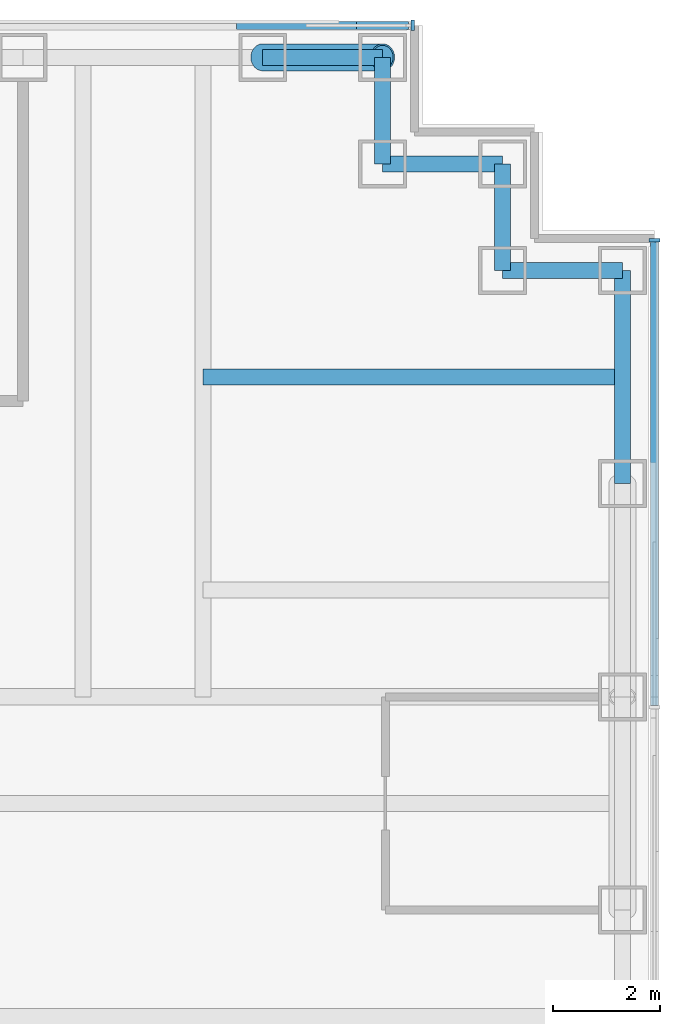
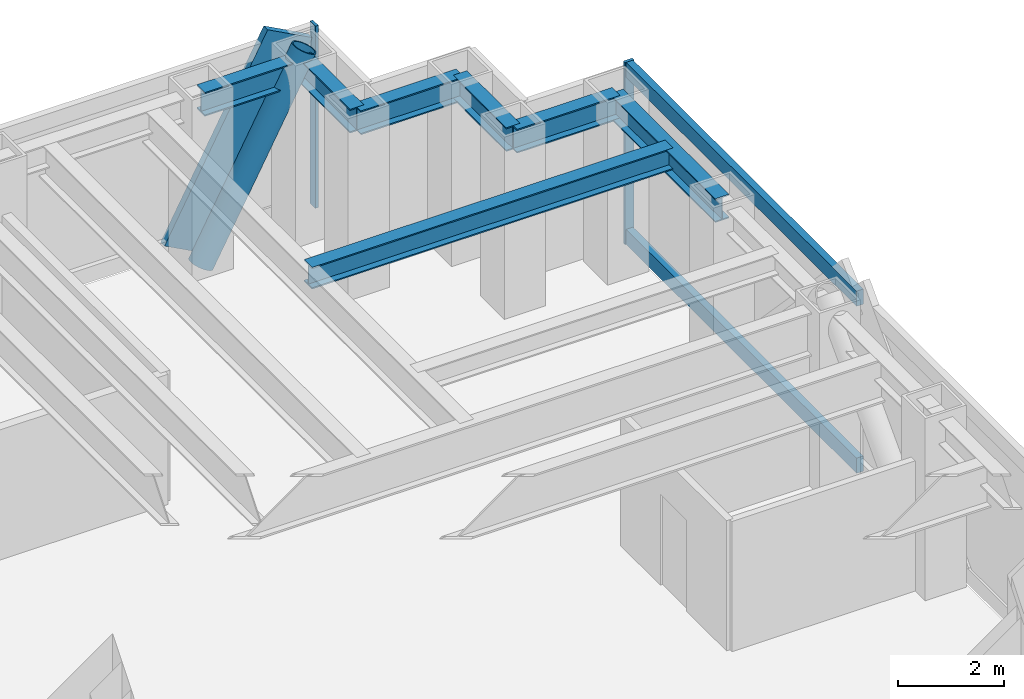
# One storey, part 9 of 17: 7 beams, 6 members, 2 elements without a shape of their own.
"""IFC4 building model written with IfcOpenShell, lengths in metres."""

from ifc_helpers import new_model, si_unit, direction, frame, origin, origin_2d, place, context, subcontext, project, spatial, rectangle, hollow_circle, i_section, extrude, material, material_profile, profile_set, type_object, element, aggregate, save


model = new_model("IFC4")

# Units and contexts
model_context = context("Model", 3, precision=1e-05, world=origin(), true_north=direction((0.0, 1.0)))
body_context = subcontext(model_context, "Body", "Model", "MODEL_VIEW")
ifc_project = project(units=[si_unit("LENGTHUNIT", "METRE"), si_unit("AREAUNIT", "SQUARE_METRE"), si_unit("VOLUMEUNIT", "CUBIC_METRE"), si_unit("PLANEANGLEUNIT", "RADIAN"), si_unit("MASSUNIT", "GRAM", prefix="KILO")], contexts=[model_context])

# Site, building, storey
site_placement = place(None, origin())
site = spatial("IfcSite", under=ifc_project, at=site_placement, CompositionType="ELEMENT")
building_placement = place(site_placement, origin())
building = spatial("IfcBuilding", under=site, at=building_placement, Name="Rheinbord Bourse Tower", CompositionType="ELEMENT")
storey_placement = place(building_placement, frame((0.0, 0.0, 300.5)))
storey = spatial("IfcBuildingStorey", under=building, at=storey_placement, Name="L68", CompositionType="ELEMENT", Elevation=300.5)

# Curtain wall, member
ifc_material_1 = material(Name="Dark glass and black aluminium", Category="aluminium")
curtain_wall_type = type_object("IfcCurtainWallType", Name="CW3 DARK GLASS CURTAIN WALL", PredefinedType="USERDEFINED", material=ifc_material_1)
curtain_wall_1_placement = place(storey_placement, origin())
curtain_wall_1 = element("IfcCurtainWall", 1, at=curtain_wall_1_placement, inside=storey, type_object=curtain_wall_type, Name="Curtain wall CW3 N L68", ObjectType="UNITISED CURTAIN WALL", PredefinedType="USERDEFINED")
ifc_material_2 = material(Name="Black anodised aluminium", Category="aluminium")
ifc_material_profile_1 = material_profile(ifc_material_2, rectangle(XDim=0.14990234375, YDim=1.10791015625, at=origin_2d()), Name="CW3 DIAGONAL MULLION 1108x150")
ifc_profile_set_1 = profile_set([ifc_material_profile_1], Name="Black anodised aluminium")
member_type_1 = type_object("IfcMemberType", Name="CW3 BLACK DIAGONAL MULLION", PredefinedType="USERDEFINED", material=ifc_profile_set_1)
member_1_placement = place(storey_placement, frame((63.0, 44.60009765625, 0.0), z_axis=(0.472225678258, 0.0, 0.881477684796), x_axis=(0.0, 1.0, 0.0)))
member_1 = element("IfcMember", 2, at=member_1_placement, type_object=member_type_1, Name="CW3 diagonal mullion a", ObjectType="DIAGONAL MULLION", PredefinedType="USERDEFINED", context=body_context, shape_type="SweptSolid", body=[
    extrude(rectangle(XDim=0.14990234375, YDim=1.10791015625, at=origin_2d()), origin(), (0.0, 0.0, 1.0), 4.7646484375),
])

curtain_wall_2_placement = place(storey_placement, origin())
curtain_wall_2 = element("IfcCurtainWall", 3, at=curtain_wall_2_placement, inside=storey, type_object=curtain_wall_type, Name="Curtain wall CW3 E L68", ObjectType="UNITISED CURTAIN WALL", PredefinedType="USERDEFINED")
ifc_material_3 = material(Name="Black anodised aluminium", Category="aluminium")
ifc_material_profile_2 = material_profile(ifc_material_3, rectangle(XDim=0.199951171875, YDim=0.06494140625, at=origin_2d()), Name="CW3 MULLION 65x200")
ifc_profile_set_2 = profile_set([ifc_material_profile_2], Name="Black anodised aluminium")
member_type_2 = type_object("IfcMemberType", Name="CW3 BLACK MULLION", PredefinedType="MULLION", material=ifc_profile_set_2)
member_2_placement = place(storey_placement, frame((70.35009765625, 40.5673828125, 0.0), z_axis=(0.0, 0.0, 1.0), x_axis=(-1.0, 0.0, 0.0)))
member_2 = element("IfcMember", 4, at=member_2_placement, type_object=member_type_2, Name="CW3 mullion 5", PredefinedType="MULLION", context=body_context, shape_type="SweptSolid", body=[
    extrude(rectangle(XDim=0.199951171875, YDim=0.06494140625, at=origin_2d()), origin(), (0.0, 0.0, 1.0), 4.199951171875),
])

# Member
member_3_placement = place(storey_placement, frame((65.8173828125, 44.60009765625, 0.0), z_axis=(0.0, 0.0, 1.0), x_axis=(0.0, -1.0, 0.0)))
member_3 = element("IfcMember", 5, at=member_3_placement, type_object=member_type_2, Name="CW3 mullion 1", PredefinedType="MULLION", context=body_context, shape_type="SweptSolid", body=[
    extrude(rectangle(XDim=0.199951171875, YDim=0.06494140625, at=origin_2d()), origin(), (0.0, 0.0, 1.0), 4.199951171875),
])

aggregate(curtain_wall_1, [member_3, member_1])

ifc_material_4 = material(Name="Black anodised aluminium", Category="aluminium")
ifc_material_profile_3 = material_profile(ifc_material_4, rectangle(XDim=0.14990234375, YDim=0.35009765625, at=origin_2d()), Name="CW3 TRANSOM 350x150")
ifc_profile_set_3 = profile_set([ifc_material_profile_3], Name="Black anodised aluminium")
member_type_3 = type_object("IfcMemberType", Name="CW3 BLACK TRANSOM", PredefinedType="USERDEFINED", material=ifc_profile_set_3)
member_4_placement = place(storey_placement, frame((70.35009765625, 31.83251953125, 0.175048828125), z_axis=(0.0, 1.0, 0.0), x_axis=(-1.0, 0.0, 0.0)))
member_4 = element("IfcMember", 6, at=member_4_placement, type_object=member_type_3, Name="CW3 transom 4.1", ObjectType="TRANSOM", PredefinedType="USERDEFINED", context=body_context, shape_type="SweptSolid", body=[
    extrude(rectangle(XDim=0.14990234375, YDim=0.35009765625, at=origin_2d()), origin(), (0.0, 0.0, 1.0), 8.702392578125),
])

member_5_placement = place(storey_placement, frame((70.35009765625, 31.83251953125, 4.02490234375), z_axis=(0.0, 1.0, 0.0), x_axis=(-1.0, 0.0, 0.0)))
member_5 = element("IfcMember", 7, at=member_5_placement, type_object=member_type_3, Name="CW3 transom 4.2", ObjectType="TRANSOM", PredefinedType="USERDEFINED", context=body_context, shape_type="SweptSolid", body=[
    extrude(rectangle(XDim=0.14990234375, YDim=0.35009765625, at=origin_2d()), origin(), (0.0, 0.0, 1.0), 8.702392578125),
])

aggregate(curtain_wall_2, [member_2, member_4, member_5])

ifc_material_5 = material(Name="Steel S460", Category="steel")
ifc_material_profile_4 = material_profile(ifc_material_5, hollow_circle(Radius=0.25390625, WallThickness=0.030029296875, at=origin_2d()), Name="CHS 508x30")
ifc_profile_set_4 = profile_set([ifc_material_profile_4], Name="Steel S460")
member_type_4 = type_object("IfcMemberType", Name="MEGABRACE CHS 508x30", PredefinedType="BRACE", material=ifc_profile_set_4)
member_6_placement = place(storey_placement, frame((63.0, 44.0, 0.0), z_axis=(0.472225678258, 0.0, 0.881477684796), x_axis=(0.0, 1.0, 0.0)))
element("IfcMember", 8, at=member_6_placement, inside=storey, type_object=member_type_4, Name="Megabrace N face line a L68", PredefinedType="BRACE", context=body_context, shape_type="SweptSolid", body=[
    extrude(hollow_circle(Radius=0.25390625, WallThickness=0.030029296875, at=origin_2d()), origin(), (0.0, 0.0, 1.0), 4.7646484375),
])

# Beams
ifc_material_6 = material(Name="Steel S460", Category="steel")
ifc_material_profile_5 = material_profile(ifc_material_6, i_section(OverallWidth=0.300048828125, OverallDepth=0.550048828125, WebThickness=0.014892578125, FlangeThickness=0.029052734375, at=origin_2d()), Name="HEB 550")
ifc_profile_set_5 = profile_set([ifc_material_profile_5], Name="Steel S460")
beam_type_1 = type_object("IfcBeamType", Name="SPANDREL HEB 550", PredefinedType="SPANDREL", material=ifc_profile_set_5)
beam_1_placement = place(storey_placement, frame((69.75, 36.0, 3.764892578125), z_axis=(0.0, 1.0, 0.0), x_axis=(-1.0, 0.0, 0.0)))
element("IfcBeam", 9, at=beam_1_placement, inside=storey, type_object=beam_type_1, Name="Spandrel E-36-NE-A under L69", PredefinedType="SPANDREL", context=body_context, shape_type="SweptSolid", body=[
    extrude(i_section(OverallWidth=0.300048828125, OverallDepth=0.550048828125, WebThickness=0.014892578125, FlangeThickness=0.029052734375, at=origin_2d()), origin(), (0.0, 0.0, 1.0), 4.0),
])
beam_2_placement = place(storey_placement, frame((69.75, 40.0, 3.764892578125), z_axis=(-1.0, 0.0, 0.0), x_axis=(0.0, -1.0, 0.0)))
element("IfcBeam", 10, at=beam_2_placement, inside=storey, type_object=beam_type_1, Name="Spandrel NE-A-NE-B under L69", PredefinedType="SPANDREL", context=body_context, shape_type="SweptSolid", body=[
    extrude(i_section(OverallWidth=0.300048828125, OverallDepth=0.550048828125, WebThickness=0.014892578125, FlangeThickness=0.029052734375, at=origin_2d()), origin(), (0.0, 0.0, 1.0), 2.25),
])
beam_3_placement = place(storey_placement, frame((67.5, 40.0, 3.764892578125), z_axis=(0.0, 1.0, 0.0), x_axis=(-1.0, 0.0, 0.0)))
element("IfcBeam", 11, at=beam_3_placement, inside=storey, type_object=beam_type_1, Name="Spandrel NE-B-NE-C under L69", PredefinedType="SPANDREL", context=body_context, shape_type="SweptSolid", body=[
    extrude(i_section(OverallWidth=0.300048828125, OverallDepth=0.550048828125, WebThickness=0.014892578125, FlangeThickness=0.029052734375, at=origin_2d()), origin(), (0.0, 0.0, 1.0), 2.0),
])
beam_4_placement = place(storey_placement, frame((67.5, 42.0, 3.764892578125), z_axis=(-1.0, 0.0, 0.0), x_axis=(0.0, -1.0, 0.0)))
element("IfcBeam", 12, at=beam_4_placement, inside=storey, type_object=beam_type_1, Name="Spandrel NE-C-NE-D under L69", PredefinedType="SPANDREL", context=body_context, shape_type="SweptSolid", body=[
    extrude(i_section(OverallWidth=0.300048828125, OverallDepth=0.550048828125, WebThickness=0.014892578125, FlangeThickness=0.029052734375, at=origin_2d()), origin(), (0.0, 0.0, 1.0), 2.25),
])
beam_5_placement = place(storey_placement, frame((65.25, 42.0, 3.764892578125), z_axis=(0.0, 1.0, 0.0), x_axis=(-1.0, 0.0, 0.0)))
element("IfcBeam", 13, at=beam_5_placement, inside=storey, type_object=beam_type_1, Name="Spandrel NE-D-NE-E under L69", PredefinedType="SPANDREL", context=body_context, shape_type="SweptSolid", body=[
    extrude(i_section(OverallWidth=0.300048828125, OverallDepth=0.550048828125, WebThickness=0.014892578125, FlangeThickness=0.029052734375, at=origin_2d()), origin(), (0.0, 0.0, 1.0), 2.0),
])
beam_6_placement = place(storey_placement, frame((65.25, 44.0, 3.764892578125), z_axis=(-1.0, 0.0, 0.0), x_axis=(0.0, -1.0, 0.0)))
element("IfcBeam", 14, at=beam_6_placement, inside=storey, type_object=beam_type_1, Name="Spandrel NE-E-N-63 under L69", PredefinedType="SPANDREL", context=body_context, shape_type="SweptSolid", body=[
    extrude(i_section(OverallWidth=0.300048828125, OverallDepth=0.550048828125, WebThickness=0.014892578125, FlangeThickness=0.029052734375, at=origin_2d()), origin(), (0.0, 0.0, 1.0), 2.25),
])
ifc_material_7 = material(Name="Steel S460", Category="steel")
ifc_material_profile_6 = material_profile(ifc_material_7, i_section(OverallWidth=0.300048828125, OverallDepth=0.5, WebThickness=0.014404296875, FlangeThickness=0.028076171875, at=origin_2d()), Name="HEB 500")
ifc_profile_set_6 = profile_set([ifc_material_profile_6], Name="Steel S460")
beam_type_2 = type_object("IfcBeamType", Name="TIE BEAM HEB 500", PredefinedType="JOIST", material=ifc_profile_set_6)
beam_7_placement = place(storey_placement, frame((61.875, 38.0, 3.7900390625), z_axis=(1.0, 0.0, 0.0), x_axis=(0.0, 1.0, 0.0)))
element("IfcBeam", 15, at=beam_7_placement, inside=storey, type_object=beam_type_2, Name="Tie east 38 L69", PredefinedType="JOIST", context=body_context, shape_type="SweptSolid", body=[
    extrude(i_section(OverallWidth=0.300048828125, OverallDepth=0.5, WebThickness=0.014404296875, FlangeThickness=0.028076171875, at=origin_2d()), origin(), (0.0, 0.0, 1.0), 7.875),
])

save(model, "model.ifc")
